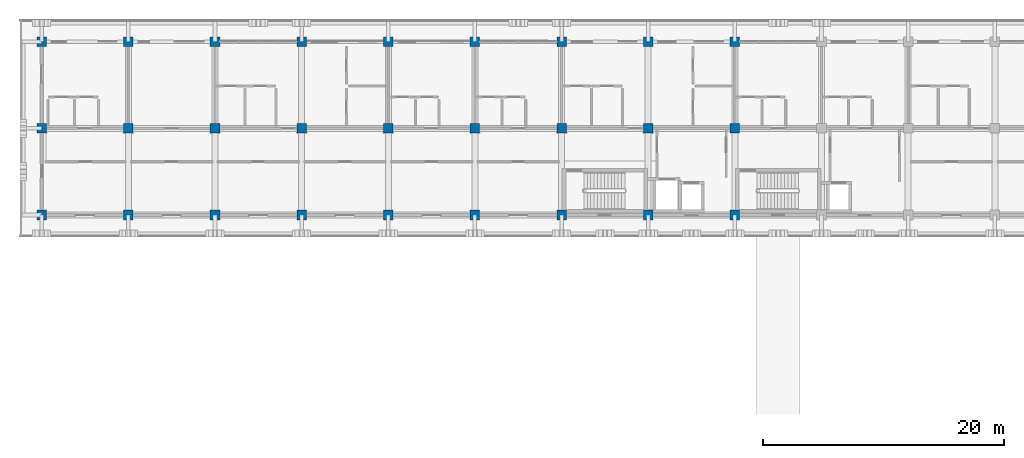
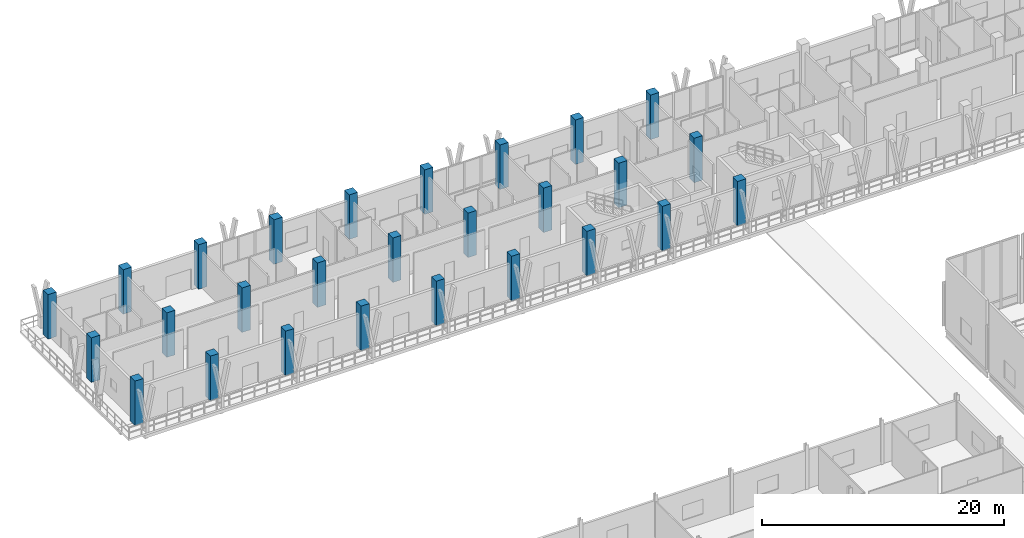
# One storey, part 6 of 110: 27 columns.
"""IFC4 building model written with IfcOpenShell, lengths in metres."""

from ifc_helpers import new_model, si_unit, direction, frame, origin, origin_2d, place, context, subcontext, project, spatial, rectangle, extrude, material, material_profile, profile_set, type_object, element, save


model = new_model("IFC4")

# Units and contexts
model_context = context("Model", 3, precision=1e-05, world=origin(), true_north=direction((0.0, 1.0)))
body_context = subcontext(model_context, "Body", "Model", "MODEL_VIEW")
ifc_project = project(units=[si_unit("LENGTHUNIT", "METRE"), si_unit("AREAUNIT", "SQUARE_METRE"), si_unit("VOLUMEUNIT", "CUBIC_METRE"), si_unit("PLANEANGLEUNIT", "RADIAN"), si_unit("MASSUNIT", "GRAM", prefix="KILO")], contexts=[model_context])

# Site, building, storey
site_placement = place(None, origin())
site = spatial("IfcSite", under=ifc_project, at=site_placement, CompositionType="ELEMENT")
building_placement = place(site_placement, origin())
building = spatial("IfcBuilding", under=site, at=building_placement, Name="Suanplinth Sawtooth Commons", CompositionType="ELEMENT")
storey_placement = place(building_placement, frame((0.0, 0.0, 4.5)))
storey = spatial("IfcBuildingStorey", under=building, at=storey_placement, Name="L01", CompositionType="ELEMENT", Elevation=4.5)

# Columns
ifc_material = material(Name="Concrete C40/50", Category="concrete")
ifc_material_profile = material_profile(ifc_material, rectangle(XDim=0.800048828125, YDim=0.800048828125, at=origin_2d()), Name="RC-COL 800x800")
ifc_profile_set = profile_set([ifc_material_profile], Name="Concrete C40/50")
column_type = type_object("IfcColumnType", Name="C-01", PredefinedType="COLUMN", material=ifc_profile_set)
for number, where, z_axis, x_axis, name in (
    (1, (0.0, 108.0, 0.0), (0.0, 0.0, 1.0), (1.0, 0.0, 0.0), "Column L01 1/R"),
    (2, (0.0, 115.199951171875, 0.0), (0.0, 0.0, 1.0), (1.0, 0.0, 0.0), "Column L01 1/S"),
    (3, (0.0, 122.39990234375, 0.0), (0.0, 0.0, 1.0), (1.0, 0.0, 0.0), "Column L01 1/T"),
    (4, (7.199951171875, 108.0, 0.0), (0.0, 0.0, 1.0), (1.0, 0.0, 0.0), "Column L01 2/R"),
    (5, (7.199951171875, 115.199951171875, 0.0), (0.0, 0.0, 1.0), (1.0, 0.0, 0.0), "Column L01 2/S"),
    (6, (7.199951171875, 122.39990234375, 0.0), (0.0, 0.0, 1.0), (1.0, 0.0, 0.0), "Column L01 2/T"),
    (7, (14.39990234375, 108.0, 0.0), (0.0, 0.0, 1.0), (1.0, 0.0, 0.0), "Column L01 3/R"),
    (8, (14.39990234375, 115.199951171875, 0.0), (0.0, 0.0, 1.0), (1.0, 0.0, 0.0), "Column L01 3/S"),
    (9, (14.39990234375, 122.39990234375, 0.0), (0.0, 0.0, 1.0), (1.0, 0.0, 0.0), "Column L01 3/T"),
    (10, (21.60009765625, 108.0, 0.0), (0.0, 0.0, 1.0), (1.0, 0.0, 0.0), "Column L01 4/R"),
    (11, (21.60009765625, 115.199951171875, 0.0), (0.0, 0.0, 1.0), (1.0, 0.0, 0.0), "Column L01 4/S"),
    (12, (21.60009765625, 122.39990234375, 0.0), (0.0, 0.0, 1.0), (1.0, 0.0, 0.0), "Column L01 4/T"),
    (13, (28.800048828125, 108.0, 0.0), (0.0, 0.0, 1.0), (1.0, 0.0, 0.0), "Column L01 5/R"),
    (14, (28.800048828125, 115.199951171875, 0.0), (0.0, 0.0, 1.0), (1.0, 0.0, 0.0), "Column L01 5/S"),
    (15, (28.800048828125, 122.39990234375, 0.0), (0.0, 0.0, 1.0), (1.0, 0.0, 0.0), "Column L01 5/T"),
    (16, (36.0, 108.0, 0.0), (0.0, 0.0, 1.0), (1.0, 0.0, 0.0), "Column L01 6/R"),
    (17, (36.0, 115.199951171875, 0.0), (0.0, 0.0, 1.0), (1.0, 0.0, 0.0), "Column L01 6/S"),
    (18, (36.0, 122.39990234375, 0.0), (0.0, 0.0, 1.0), (1.0, 0.0, 0.0), "Column L01 6/T"),
    (19, (43.199951171875, 108.0, 0.0), (0.0, 0.0, 1.0), (1.0, 0.0, 0.0), "Column L01 7/R"),
    (20, (43.199951171875, 115.199951171875, 0.0), (0.0, 0.0, 1.0), (1.0, 0.0, 0.0), "Column L01 7/S"),
    (21, (43.199951171875, 122.39990234375, 0.0), (0.0, 0.0, 1.0), (1.0, 0.0, 0.0), "Column L01 7/T"),
    (22, (50.39990234375, 108.0, 0.0), (0.0, 0.0, 1.0), (1.0, 0.0, 0.0), "Column L01 8/R"),
    (23, (50.39990234375, 115.199951171875, 0.0), (0.0, 0.0, 1.0), (1.0, 0.0, 0.0), "Column L01 8/S"),
    (24, (50.39990234375, 122.39990234375, 0.0), (0.0, 0.0, 1.0), (1.0, 0.0, 0.0), "Column L01 8/T"),
    (25, (57.60009765625, 108.0, 0.0), (0.0, 0.0, 1.0), (1.0, 0.0, 0.0), "Column L01 9/R"),
    (26, (57.60009765625, 115.199951171875, 0.0), (0.0, 0.0, 1.0), (1.0, 0.0, 0.0), "Column L01 9/S"),
    (27, (57.60009765625, 122.39990234375, 0.0), (0.0, 0.0, 1.0), (1.0, 0.0, 0.0), "Column L01 9/T"),
):
    element("IfcColumn", number, at=place(storey_placement, frame(where, z_axis=z_axis, x_axis=x_axis)), inside=storey, type_object=column_type, Name=name, PredefinedType="COLUMN", context=body_context, shape_type="SweptSolid", body=[
        extrude(rectangle(XDim=0.800048828125, YDim=0.800048828125, at=origin_2d()), origin(), (0.0, 0.0, 1.0), 4.5),
    ])

save(model, "model.ifc")
